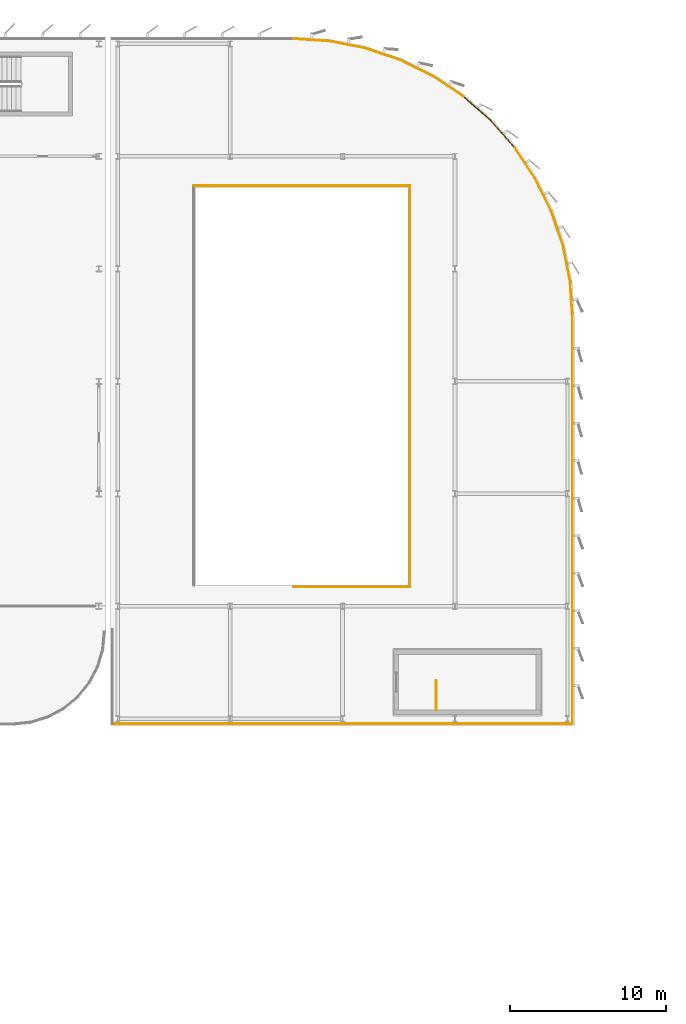
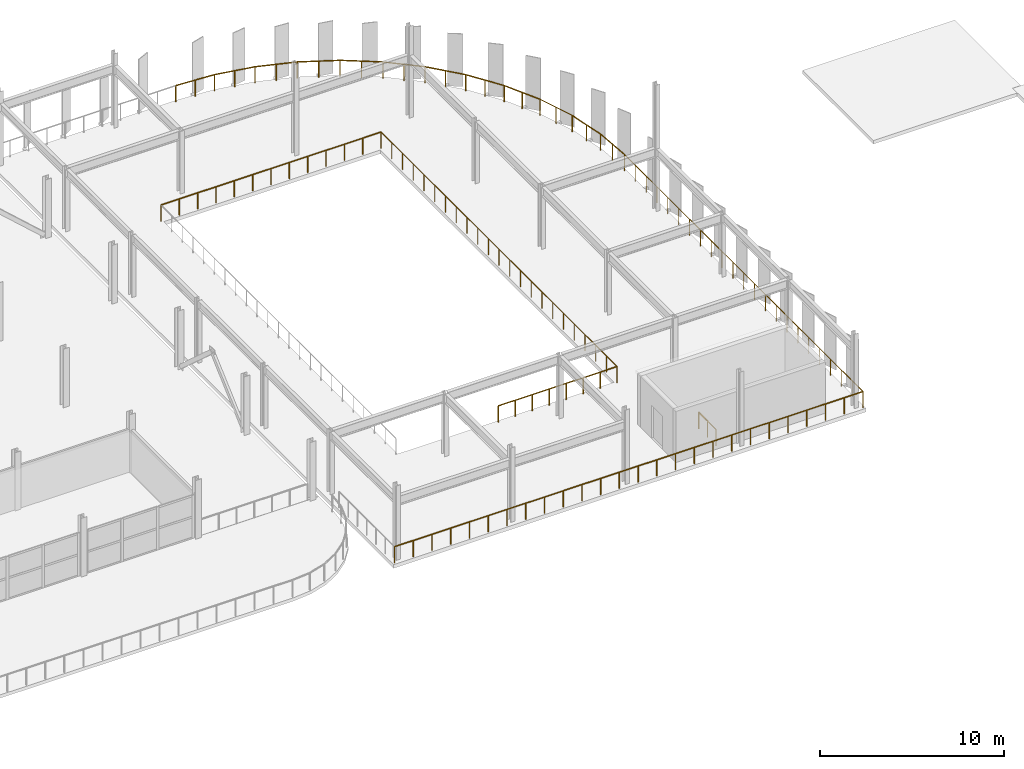
# One storey, part 40 of 40: 18 railings.
"""IFC4 building model written with IfcOpenShell, lengths in metres."""

from ifc_helpers import new_model, si_unit, direction, frame, origin, origin_2d, place, context, subcontext, project, spatial, circle, extrude, material, layer, layer_set, type_object, element, save


model = new_model("IFC4")

# Units and contexts
model_context = context("Model", 3, precision=1e-05, world=origin(), true_north=direction((0.0, 1.0)))
body_context = subcontext(model_context, "Body", "Model", "MODEL_VIEW")
ifc_project = project(units=[si_unit("LENGTHUNIT", "METRE"), si_unit("AREAUNIT", "SQUARE_METRE"), si_unit("VOLUMEUNIT", "CUBIC_METRE"), si_unit("PLANEANGLEUNIT", "RADIAN"), si_unit("MASSUNIT", "GRAM", prefix="KILO")], contexts=[model_context])

# Site, building, storey
site_placement = place(None, origin())
site = spatial("IfcSite", under=ifc_project, at=site_placement, CompositionType="ELEMENT")
building_placement = place(site_placement, origin())
building = spatial("IfcBuilding", under=site, at=building_placement, Name="Vaelcorin Mobility Hub", CompositionType="ELEMENT")
storey_placement = place(building_placement, frame((0.0, 0.0, 17.10009765625)))
storey = spatial("IfcBuildingStorey", under=building, at=storey_placement, Name="L04", CompositionType="ELEMENT", Elevation=17.10009765625)

# Railings
ifc_material_1 = material(Name="Galvanised structural steel ASTM A36", Category="steel")
ifc_layer_1 = layer(ifc_material_1, 0.070068359375)
ifc_layer_set_1 = layer_set([ifc_layer_1], Name="Galvanised structural steel ASTM A36")
railing_type_1 = type_object("IfcRailingType", Name="RL-GUARD-1100", PredefinedType="BALUSTRADE", material=ifc_layer_set_1)
railing_1_placement = place(storey_placement, frame((128.47998046875, 110.919921875, 0.0)))
element("IfcRailing", 1, at=railing_1_placement, inside=storey, type_object=railing_type_1, Name="L04 Perimeter Guard GR-V2E-L04-WELL-02", PredefinedType="BALUSTRADE", context=body_context, shape_type="SweptSolid", body=[
    extrude(circle(Radius=0.02392578125, at=origin_2d()), frame((0.0, 0.0, 1.076171875), z_axis=(1.0, 0.0, 0.0), x_axis=(0.0, 1.0, 0.0)), (0.0, 0.0, 1.0), 13.840087890625),
    extrude(circle(Radius=0.02099609375, at=origin_2d()), origin(), (0.0, 0.0, 1.0), 1.052001953125),
    extrude(circle(Radius=0.02099609375, at=origin_2d()), frame((1.1533203125, 0.0, 0.0)), (0.0, 0.0, 1.0), 1.052001953125),
    extrude(circle(Radius=0.02099609375, at=origin_2d()), frame((2.306640625, 0.0, 0.0)), (0.0, 0.0, 1.0), 1.052001953125),
    extrude(circle(Radius=0.02099609375, at=origin_2d()), frame((3.4599609375, 0.0, 0.0)), (0.0, 0.0, 1.0), 1.052001953125),
    extrude(circle(Radius=0.02099609375, at=origin_2d()), frame((4.61328125, 0.0, 0.0)), (0.0, 0.0, 1.0), 1.052001953125),
    extrude(circle(Radius=0.02099609375, at=origin_2d()), frame((5.7666015625, 0.0, 0.0)), (0.0, 0.0, 1.0), 1.052001953125),
    extrude(circle(Radius=0.02099609375, at=origin_2d()), frame((6.919921875, 0.0, 0.0)), (0.0, 0.0, 1.0), 1.052001953125),
    extrude(circle(Radius=0.02099609375, at=origin_2d()), frame((8.073486328125, 0.0, 0.0)), (0.0, 0.0, 1.0), 1.052001953125),
    extrude(circle(Radius=0.02099609375, at=origin_2d()), frame((9.226806640625, 0.0, 0.0)), (0.0, 0.0, 1.0), 1.052001953125),
    extrude(circle(Radius=0.02099609375, at=origin_2d()), frame((10.380126953125, 0.0, 0.0)), (0.0, 0.0, 1.0), 1.052001953125),
    extrude(circle(Radius=0.02099609375, at=origin_2d()), frame((11.533447265625, 0.0, 0.0)), (0.0, 0.0, 1.0), 1.052001953125),
    extrude(circle(Radius=0.02099609375, at=origin_2d()), frame((12.686767578125, 0.0, 0.0)), (0.0, 0.0, 1.0), 1.052001953125),
    extrude(circle(Radius=0.02099609375, at=origin_2d()), frame((13.840087890625, 0.0, 0.0)), (0.0, 0.0, 1.0), 1.052001953125),
])
railing_2_placement = place(storey_placement, frame((142.320068359375, 110.919921875, 0.0)))
element("IfcRailing", 2, at=railing_2_placement, inside=storey, type_object=railing_type_1, Name="L04 Perimeter Guard GR-V2E-L04-WELL-03", PredefinedType="BALUSTRADE", context=body_context, shape_type="SweptSolid", body=[
    extrude(circle(Radius=0.02392578125, at=origin_2d()), frame((0.0, 0.0, 1.076171875), z_axis=(0.0, -1.0, 0.0), x_axis=(1.0, 0.0, 0.0)), (0.0, 0.0, 1.0), 25.699951171875),
    extrude(circle(Radius=0.02099609375, at=origin_2d()), origin(), (0.0, 0.0, 1.0), 1.052001953125),
    extrude(circle(Radius=0.02099609375, at=origin_2d()), frame((0.0, -1.168212890625, 0.0)), (0.0, 0.0, 1.0), 1.052001953125),
    extrude(circle(Radius=0.02099609375, at=origin_2d()), frame((0.0, -2.33642578125, 0.0)), (0.0, 0.0, 1.0), 1.052001953125),
    extrude(circle(Radius=0.02099609375, at=origin_2d()), frame((0.0, -3.504638671875, 0.0)), (0.0, 0.0, 1.0), 1.052001953125),
    extrude(circle(Radius=0.02099609375, at=origin_2d()), frame((0.0, -4.672607421875, 0.0)), (0.0, 0.0, 1.0), 1.052001953125),
    extrude(circle(Radius=0.02099609375, at=origin_2d()), frame((0.0, -5.8408203125, 0.0)), (0.0, 0.0, 1.0), 1.052001953125),
    extrude(circle(Radius=0.02099609375, at=origin_2d()), frame((0.0, -7.009033203125, 0.0)), (0.0, 0.0, 1.0), 1.052001953125),
    extrude(circle(Radius=0.02099609375, at=origin_2d()), frame((0.0, -8.17724609375, 0.0)), (0.0, 0.0, 1.0), 1.052001953125),
    extrude(circle(Radius=0.02099609375, at=origin_2d()), frame((0.0, -9.345458984375, 0.0)), (0.0, 0.0, 1.0), 1.052001953125),
    extrude(circle(Radius=0.02099609375, at=origin_2d()), frame((0.0, -10.513671875, 0.0)), (0.0, 0.0, 1.0), 1.052001953125),
    extrude(circle(Radius=0.02099609375, at=origin_2d()), frame((0.0, -11.681884765625, 0.0)), (0.0, 0.0, 1.0), 1.052001953125),
    extrude(circle(Radius=0.02099609375, at=origin_2d()), frame((0.0, -12.85009765625, 0.0)), (0.0, 0.0, 1.0), 1.052001953125),
    extrude(circle(Radius=0.02099609375, at=origin_2d()), frame((0.0, -14.01806640625, 0.0)), (0.0, 0.0, 1.0), 1.052001953125),
    extrude(circle(Radius=0.02099609375, at=origin_2d()), frame((0.0, -15.186279296875, 0.0)), (0.0, 0.0, 1.0), 1.052001953125),
    extrude(circle(Radius=0.02099609375, at=origin_2d()), frame((0.0, -16.3544921875, 0.0)), (0.0, 0.0, 1.0), 1.052001953125),
    extrude(circle(Radius=0.02099609375, at=origin_2d()), frame((0.0, -17.522705078125, 0.0)), (0.0, 0.0, 1.0), 1.052001953125),
    extrude(circle(Radius=0.02099609375, at=origin_2d()), frame((0.0, -18.69091796875, 0.0)), (0.0, 0.0, 1.0), 1.052001953125),
    extrude(circle(Radius=0.02099609375, at=origin_2d()), frame((0.0, -19.859130859375, 0.0)), (0.0, 0.0, 1.0), 1.052001953125),
    extrude(circle(Radius=0.02099609375, at=origin_2d()), frame((0.0, -21.02734375, 0.0)), (0.0, 0.0, 1.0), 1.052001953125),
    extrude(circle(Radius=0.02099609375, at=origin_2d()), frame((0.0, -22.1953125, 0.0)), (0.0, 0.0, 1.0), 1.052001953125),
    extrude(circle(Radius=0.02099609375, at=origin_2d()), frame((0.0, -23.363525390625, 0.0)), (0.0, 0.0, 1.0), 1.052001953125),
    extrude(circle(Radius=0.02099609375, at=origin_2d()), frame((0.0, -24.53173828125, 0.0)), (0.0, 0.0, 1.0), 1.052001953125),
    extrude(circle(Radius=0.02099609375, at=origin_2d()), frame((0.0, -25.699951171875, 0.0)), (0.0, 0.0, 1.0), 1.052001953125),
])
railing_3_placement = place(storey_placement, frame((142.320068359375, 85.219970703125, 0.0)))
element("IfcRailing", 3, at=railing_3_placement, inside=storey, type_object=railing_type_1, Name="L04 Perimeter Guard GR-V2E-L04-WELL-04", PredefinedType="BALUSTRADE", context=body_context, shape_type="SweptSolid", body=[
    extrude(circle(Radius=0.02392578125, at=origin_2d()), frame((0.0, 0.0, 1.076171875), z_axis=(-1.0, 0.0, 0.0), x_axis=(0.0, -1.0, 0.0)), (0.0, 0.0, 1.0), 7.469970703125),
    extrude(circle(Radius=0.02099609375, at=origin_2d()), origin(), (0.0, 0.0, 1.0), 1.052001953125),
    extrude(circle(Radius=0.02099609375, at=origin_2d()), frame((-1.067138671875, 0.0, 0.0)), (0.0, 0.0, 1.0), 1.052001953125),
    extrude(circle(Radius=0.02099609375, at=origin_2d()), frame((-2.13427734375, 0.0, 0.0)), (0.0, 0.0, 1.0), 1.052001953125),
    extrude(circle(Radius=0.02099609375, at=origin_2d()), frame((-3.201416015625, 0.0, 0.0)), (0.0, 0.0, 1.0), 1.052001953125),
    extrude(circle(Radius=0.02099609375, at=origin_2d()), frame((-4.2685546875, 0.0, 0.0)), (0.0, 0.0, 1.0), 1.052001953125),
    extrude(circle(Radius=0.02099609375, at=origin_2d()), frame((-5.335693359375, 0.0, 0.0)), (0.0, 0.0, 1.0), 1.052001953125),
    extrude(circle(Radius=0.02099609375, at=origin_2d()), frame((-6.40283203125, 0.0, 0.0)), (0.0, 0.0, 1.0), 1.052001953125),
    extrude(circle(Radius=0.02099609375, at=origin_2d()), frame((-7.469970703125, 0.0, 0.0)), (0.0, 0.0, 1.0), 1.052001953125),
])
railing_4_placement = place(storey_placement, frame((134.85009765625, 120.330078125, 0.0)))
element("IfcRailing", 4, at=railing_4_placement, inside=storey, type_object=railing_type_1, Name="L04 Perimeter Guard GR-V2E-L04-02", PredefinedType="BALUSTRADE", context=body_context, shape_type="SweptSolid", body=[
    extrude(circle(Radius=0.02392578125, at=origin_2d()), frame((0.0, 0.0, 1.076171875), z_axis=(0.99785616691, -0.065445169106, 0.0), x_axis=(0.065445169106, 0.99785616691, 0.0)), (0.0, 0.0, 1.0), 2.339111328125),
    extrude(circle(Radius=0.02099609375, at=origin_2d()), origin(), (0.0, 0.0, 1.0), 1.052001953125),
    extrude(circle(Radius=0.02099609375, at=origin_2d()), frame((1.1669921875, -0.07666015625, 0.0)), (0.0, 0.0, 1.0), 1.052001953125),
    extrude(circle(Radius=0.02099609375, at=origin_2d()), frame((2.333984375, -0.153076171875, 0.0)), (0.0, 0.0, 1.0), 1.052001953125),
])
railing_5_placement = place(storey_placement, frame((137.18408203125, 120.177001953125, 0.0)))
element("IfcRailing", 5, at=railing_5_placement, inside=storey, type_object=railing_type_1, Name="L04 Perimeter Guard GR-V2E-L04-03", PredefinedType="BALUSTRADE", context=body_context, shape_type="SweptSolid", body=[
    extrude(circle(Radius=0.02392578125, at=origin_2d()), frame((0.0, 0.0, 1.076171875), z_axis=(0.980804861331, -0.194991856212, 0.0), x_axis=(0.194991856212, 0.980804861331, 0.0)), (0.0, 0.0, 1.0), 2.3388671875),
    extrude(circle(Radius=0.02099609375, at=origin_2d()), origin(), (0.0, 0.0, 1.0), 1.052001953125),
    extrude(circle(Radius=0.02099609375, at=origin_2d()), frame((1.14697265625, -0.22802734375, 0.0)), (0.0, 0.0, 1.0), 1.052001953125),
    extrude(circle(Radius=0.02099609375, at=origin_2d()), frame((2.2939453125, -0.4560546875, 0.0)), (0.0, 0.0, 1.0), 1.052001953125),
])
railing_6_placement = place(storey_placement, frame((139.47802734375, 119.720947265625, 0.0)))
element("IfcRailing", 6, at=railing_6_placement, inside=storey, type_object=railing_type_1, Name="L04 Perimeter Guard GR-V2E-L04-04", PredefinedType="BALUSTRADE", context=body_context, shape_type="SweptSolid", body=[
    extrude(circle(Radius=0.02392578125, at=origin_2d()), frame((0.0, 0.0, 1.076171875), z_axis=(0.946871989611, -0.321610689017, 0.0), x_axis=(0.321610689017, 0.946871989611, 0.0)), (0.0, 0.0, 1.0), 2.338134765625),
    extrude(circle(Radius=0.02099609375, at=origin_2d()), origin(), (0.0, 0.0, 1.0), 1.052001953125),
    extrude(circle(Radius=0.02099609375, at=origin_2d()), frame((1.10693359375, -0.3759765625, 0.0)), (0.0, 0.0, 1.0), 1.052001953125),
    extrude(circle(Radius=0.02099609375, at=origin_2d()), frame((2.2138671875, -0.751953125, 0.0)), (0.0, 0.0, 1.0), 1.052001953125),
])
railing_7_placement = place(storey_placement, frame((141.69189453125, 118.968994140625, 0.0)))
element("IfcRailing", 7, at=railing_7_placement, inside=storey, type_object=railing_type_1, Name="L04 Perimeter Guard GR-V2E-L04-05", PredefinedType="BALUSTRADE", context=body_context, shape_type="SweptSolid", body=[
    extrude(circle(Radius=0.02392578125, at=origin_2d()), frame((0.0, 0.0, 1.076171875), z_axis=(0.897000714078, -0.44202909287, 0.0), x_axis=(0.44202909287, 0.897000714078, 0.0)), (0.0, 0.0, 1.0), 2.339111328125),
    extrude(circle(Radius=0.02099609375, at=origin_2d()), origin(), (0.0, 0.0, 1.0), 1.052001953125),
    extrude(circle(Radius=0.02099609375, at=origin_2d()), frame((1.049072265625, -0.51708984375, 0.0)), (0.0, 0.0, 1.0), 1.052001953125),
    extrude(circle(Radius=0.02099609375, at=origin_2d()), frame((2.09814453125, -1.033935546875, 0.0)), (0.0, 0.0, 1.0), 1.052001953125),
])
railing_8_placement = place(storey_placement, frame((143.7900390625, 117.93505859375, 0.0)))
element("IfcRailing", 8, at=railing_8_placement, inside=storey, type_object=railing_type_1, Name="L04 Perimeter Guard GR-V2E-L04-06", PredefinedType="BALUSTRADE", context=body_context, shape_type="SweptSolid", body=[
    extrude(circle(Radius=0.02392578125, at=origin_2d()), frame((0.0, 0.0, 1.076171875), z_axis=(0.831391473095, -0.555687158809, 0.0), x_axis=(0.555687158809, 0.831391473095, 0.0)), (0.0, 0.0, 1.0), 2.339599609375),
    extrude(circle(Radius=0.02099609375, at=origin_2d()), origin(), (0.0, 0.0, 1.0), 1.052001953125),
    extrude(circle(Radius=0.02099609375, at=origin_2d()), frame((0.97265625, -0.64990234375, 0.0)), (0.0, 0.0, 1.0), 1.052001953125),
    extrude(circle(Radius=0.02099609375, at=origin_2d()), frame((1.945068359375, -1.300048828125, 0.0)), (0.0, 0.0, 1.0), 1.052001953125),
])
railing_9_placement = place(storey_placement, frame((145.735107421875, 116.635009765625, 0.0)))
element("IfcRailing", 9, at=railing_9_placement, inside=storey, type_object=railing_type_1, Name="L04 Perimeter Guard GR-V2E-L04-07", PredefinedType="BALUSTRADE", context=body_context, shape_type="SweptSolid", body=[
    extrude(circle(Radius=0.02392578125, at=origin_2d()), frame((0.0, 0.0, 1.076171875), z_axis=(0.751748215972, -0.659450240566, 0.0), x_axis=(0.659450240566, 0.751748215972, 0.0)), (0.0, 0.0, 1.0), 2.33837890625),
    extrude(circle(Radius=0.02099609375, at=origin_2d()), origin(), (0.0, 0.0, 1.0), 1.052001953125),
    extrude(circle(Radius=0.02099609375, at=origin_2d()), frame((0.87890625, -0.77099609375, 0.0)), (0.0, 0.0, 1.0), 1.052001953125),
    extrude(circle(Radius=0.02099609375, at=origin_2d()), frame((1.7578125, -1.5419921875, 0.0)), (0.0, 0.0, 1.0), 1.052001953125),
])
railing_10_placement = place(storey_placement, frame((147.492919921875, 115.093017578125, 0.0)))
element("IfcRailing", 10, at=railing_10_placement, inside=storey, type_object=railing_type_1, Name="L04 Perimeter Guard GR-V2E-L04-08", PredefinedType="BALUSTRADE", context=body_context, shape_type="SweptSolid", body=[
    extrude(circle(Radius=0.02392578125, at=origin_2d()), frame((0.0, 0.0, 1.076171875), z_axis=(0.659398483057, -0.751793615657, 0.0), x_axis=(0.751793615657, 0.659398483057, 0.0)), (0.0, 0.0, 1.0), 2.33837890625),
    extrude(circle(Radius=0.02099609375, at=origin_2d()), origin(), (0.0, 0.0, 1.0), 1.052001953125),
    extrude(circle(Radius=0.02099609375, at=origin_2d()), frame((0.77099609375, -0.87890625, 0.0)), (0.0, 0.0, 1.0), 1.052001953125),
    extrude(circle(Radius=0.02099609375, at=origin_2d()), frame((1.5419921875, -1.758056640625, 0.0)), (0.0, 0.0, 1.0), 1.052001953125),
])
railing_11_placement = place(storey_placement, frame((149.034912109375, 113.3349609375, 0.0)))
element("IfcRailing", 11, at=railing_11_placement, inside=storey, type_object=railing_type_1, Name="L04 Perimeter Guard GR-V2E-L04-09", PredefinedType="BALUSTRADE", context=body_context, shape_type="SweptSolid", body=[
    extrude(circle(Radius=0.02392578125, at=origin_2d()), frame((0.0, 0.0, 1.076171875), z_axis=(0.555687158809, -0.831391473095, 0.0), x_axis=(0.831391473095, 0.555687158809, 0.0)), (0.0, 0.0, 1.0), 2.339599609375),
    extrude(circle(Radius=0.02099609375, at=origin_2d()), origin(), (0.0, 0.0, 1.0), 1.052001953125),
    extrude(circle(Radius=0.02099609375, at=origin_2d()), frame((0.64990234375, -0.97265625, 0.0)), (0.0, 0.0, 1.0), 1.052001953125),
    extrude(circle(Radius=0.02099609375, at=origin_2d()), frame((1.300048828125, -1.945068359375, 0.0)), (0.0, 0.0, 1.0), 1.052001953125),
])
railing_12_placement = place(storey_placement, frame((150.3349609375, 111.389892578125, 0.0)))
element("IfcRailing", 12, at=railing_12_placement, inside=storey, type_object=railing_type_1, Name="L04 Perimeter Guard GR-V2E-L04-10", PredefinedType="BALUSTRADE", context=body_context, shape_type="SweptSolid", body=[
    extrude(circle(Radius=0.02392578125, at=origin_2d()), frame((0.0, 0.0, 1.076171875), z_axis=(0.442070481095, -0.896980317367, 0.0), x_axis=(0.896980317367, 0.442070481095, 0.0)), (0.0, 0.0, 1.0), 2.3388671875),
    extrude(circle(Radius=0.02099609375, at=origin_2d()), origin(), (0.0, 0.0, 1.0), 1.052001953125),
    extrude(circle(Radius=0.02099609375, at=origin_2d()), frame((0.51708984375, -1.048828125, 0.0)), (0.0, 0.0, 1.0), 1.052001953125),
    extrude(circle(Radius=0.02099609375, at=origin_2d()), frame((1.033935546875, -2.097900390625, 0.0)), (0.0, 0.0, 1.0), 1.052001953125),
])
railing_13_placement = place(storey_placement, frame((151.368896484375, 109.2919921875, 0.0)))
element("IfcRailing", 13, at=railing_13_placement, inside=storey, type_object=railing_type_1, Name="L04 Perimeter Guard GR-V2E-L04-11", PredefinedType="BALUSTRADE", context=body_context, shape_type="SweptSolid", body=[
    extrude(circle(Radius=0.02392578125, at=origin_2d()), frame((0.0, 0.0, 1.076171875), z_axis=(0.321672500653, -0.946850992672, 0.0), x_axis=(0.946850992672, 0.321672500653, 0.0)), (0.0, 0.0, 1.0), 2.33837890625),
    extrude(circle(Radius=0.02099609375, at=origin_2d()), origin(), (0.0, 0.0, 1.0), 1.052001953125),
    extrude(circle(Radius=0.02099609375, at=origin_2d()), frame((0.3759765625, -1.10693359375, 0.0)), (0.0, 0.0, 1.0), 1.052001953125),
    extrude(circle(Radius=0.02099609375, at=origin_2d()), frame((0.752197265625, -2.214111328125, 0.0)), (0.0, 0.0, 1.0), 1.052001953125),
])
railing_14_placement = place(storey_placement, frame((152.12109375, 107.077880859375, 0.0)))
element("IfcRailing", 14, at=railing_14_placement, inside=storey, type_object=railing_type_1, Name="L04 Perimeter Guard GR-V2E-L04-12", PredefinedType="BALUSTRADE", context=body_context, shape_type="SweptSolid", body=[
    extrude(circle(Radius=0.02392578125, at=origin_2d()), frame((0.0, 0.0, 1.076171875), z_axis=(0.194891436706, -0.980824820189, 0.0), x_axis=(0.980824820189, 0.194891436706, 0.0)), (0.0, 0.0, 1.0), 2.3388671875),
    extrude(circle(Radius=0.02099609375, at=origin_2d()), origin(), (0.0, 0.0, 1.0), 1.052001953125),
    extrude(circle(Radius=0.02099609375, at=origin_2d()), frame((0.22802734375, -1.14697265625, 0.0)), (0.0, 0.0, 1.0), 1.052001953125),
    extrude(circle(Radius=0.02099609375, at=origin_2d()), frame((0.455810546875, -2.2939453125, 0.0)), (0.0, 0.0, 1.0), 1.052001953125),
])
railing_15_placement = place(storey_placement, frame((152.576904296875, 104.783935546875, 0.0)))
element("IfcRailing", 15, at=railing_15_placement, inside=storey, type_object=railing_type_1, Name="L04 Perimeter Guard GR-V2E-L04-13", PredefinedType="BALUSTRADE", context=body_context, shape_type="SweptSolid", body=[
    extrude(circle(Radius=0.02392578125, at=origin_2d()), frame((0.0, 0.0, 1.076171875), z_axis=(0.065445169106, -0.99785616691, 0.0), x_axis=(0.99785616691, 0.065445169106, 0.0)), (0.0, 0.0, 1.0), 2.339111328125),
    extrude(circle(Radius=0.02099609375, at=origin_2d()), origin(), (0.0, 0.0, 1.0), 1.052001953125),
    extrude(circle(Radius=0.02099609375, at=origin_2d()), frame((0.07666015625, -1.1669921875, 0.0)), (0.0, 0.0, 1.0), 1.052001953125),
    extrude(circle(Radius=0.02099609375, at=origin_2d()), frame((0.153076171875, -2.333984375, 0.0)), (0.0, 0.0, 1.0), 1.052001953125),
])
railing_16_placement = place(storey_placement, frame((152.72998046875, 102.449951171875, 0.0)))
element("IfcRailing", 16, at=railing_16_placement, inside=storey, type_object=railing_type_1, Name="L04 Perimeter Guard GR-V2E-L04-14", PredefinedType="BALUSTRADE", context=body_context, shape_type="SweptSolid", body=[
    extrude(circle(Radius=0.02392578125, at=origin_2d()), frame((0.0, 0.0, 1.076171875), z_axis=(0.0, -1.0, 0.0), x_axis=(1.0, 0.0, 0.0)), (0.0, 0.0, 1.0), 25.97998046875),
    extrude(circle(Radius=0.02099609375, at=origin_2d()), origin(), (0.0, 0.0, 1.0), 1.052001953125),
    extrude(circle(Radius=0.02099609375, at=origin_2d()), frame((0.0, -1.180908203125, 0.0)), (0.0, 0.0, 1.0), 1.052001953125),
    extrude(circle(Radius=0.02099609375, at=origin_2d()), frame((0.0, -2.36181640625, 0.0)), (0.0, 0.0, 1.0), 1.052001953125),
    extrude(circle(Radius=0.02099609375, at=origin_2d()), frame((0.0, -3.542724609375, 0.0)), (0.0, 0.0, 1.0), 1.052001953125),
    extrude(circle(Radius=0.02099609375, at=origin_2d()), frame((0.0, -4.7236328125, 0.0)), (0.0, 0.0, 1.0), 1.052001953125),
    extrude(circle(Radius=0.02099609375, at=origin_2d()), frame((0.0, -5.904541015625, 0.0)), (0.0, 0.0, 1.0), 1.052001953125),
    extrude(circle(Radius=0.02099609375, at=origin_2d()), frame((0.0, -7.08544921875, 0.0)), (0.0, 0.0, 1.0), 1.052001953125),
    extrude(circle(Radius=0.02099609375, at=origin_2d()), frame((0.0, -8.266357421875, 0.0)), (0.0, 0.0, 1.0), 1.052001953125),
    extrude(circle(Radius=0.02099609375, at=origin_2d()), frame((0.0, -9.447265625, 0.0)), (0.0, 0.0, 1.0), 1.052001953125),
    extrude(circle(Radius=0.02099609375, at=origin_2d()), frame((0.0, -10.628173828125, 0.0)), (0.0, 0.0, 1.0), 1.052001953125),
    extrude(circle(Radius=0.02099609375, at=origin_2d()), frame((0.0, -11.80908203125, 0.0)), (0.0, 0.0, 1.0), 1.052001953125),
    extrude(circle(Radius=0.02099609375, at=origin_2d()), frame((0.0, -12.989990234375, 0.0)), (0.0, 0.0, 1.0), 1.052001953125),
    extrude(circle(Radius=0.02099609375, at=origin_2d()), frame((0.0, -14.1708984375, 0.0)), (0.0, 0.0, 1.0), 1.052001953125),
    extrude(circle(Radius=0.02099609375, at=origin_2d()), frame((0.0, -15.351806640625, 0.0)), (0.0, 0.0, 1.0), 1.052001953125),
    extrude(circle(Radius=0.02099609375, at=origin_2d()), frame((0.0, -16.53271484375, 0.0)), (0.0, 0.0, 1.0), 1.052001953125),
    extrude(circle(Radius=0.02099609375, at=origin_2d()), frame((0.0, -17.713623046875, 0.0)), (0.0, 0.0, 1.0), 1.052001953125),
    extrude(circle(Radius=0.02099609375, at=origin_2d()), frame((0.0, -18.89453125, 0.0)), (0.0, 0.0, 1.0), 1.052001953125),
    extrude(circle(Radius=0.02099609375, at=origin_2d()), frame((0.0, -20.075439453125, 0.0)), (0.0, 0.0, 1.0), 1.052001953125),
    extrude(circle(Radius=0.02099609375, at=origin_2d()), frame((0.0, -21.25634765625, 0.0)), (0.0, 0.0, 1.0), 1.052001953125),
    extrude(circle(Radius=0.02099609375, at=origin_2d()), frame((0.0, -22.437255859375, 0.0)), (0.0, 0.0, 1.0), 1.052001953125),
    extrude(circle(Radius=0.02099609375, at=origin_2d()), frame((0.0, -23.6181640625, 0.0)), (0.0, 0.0, 1.0), 1.052001953125),
    extrude(circle(Radius=0.02099609375, at=origin_2d()), frame((0.0, -24.799072265625, 0.0)), (0.0, 0.0, 1.0), 1.052001953125),
    extrude(circle(Radius=0.02099609375, at=origin_2d()), frame((0.0, -25.97998046875, 0.0)), (0.0, 0.0, 1.0), 1.052001953125),
])
railing_17_placement = place(storey_placement, frame((152.72998046875, 76.469970703125, 0.0)))
element("IfcRailing", 17, at=railing_17_placement, inside=storey, type_object=railing_type_1, Name="L04 Perimeter Guard GR-V2E-L04-15", PredefinedType="BALUSTRADE", context=body_context, shape_type="SweptSolid", body=[
    extrude(circle(Radius=0.02392578125, at=origin_2d()), frame((0.0, 0.0, 1.076171875), z_axis=(-1.0, 0.0, 0.0), x_axis=(0.0, -1.0, 0.0)), (0.0, 0.0, 1.0), 29.4599609375),
    extrude(circle(Radius=0.02099609375, at=origin_2d()), origin(), (0.0, 0.0, 1.0), 1.052001953125),
    extrude(circle(Radius=0.02099609375, at=origin_2d()), frame((-1.178466796875, 0.0, 0.0)), (0.0, 0.0, 1.0), 1.052001953125),
    extrude(circle(Radius=0.02099609375, at=origin_2d()), frame((-2.356689453125, 0.0, 0.0)), (0.0, 0.0, 1.0), 1.052001953125),
    extrude(circle(Radius=0.02099609375, at=origin_2d()), frame((-3.53515625, 0.0, 0.0)), (0.0, 0.0, 1.0), 1.052001953125),
    extrude(circle(Radius=0.02099609375, at=origin_2d()), frame((-4.713623046875, 0.0, 0.0)), (0.0, 0.0, 1.0), 1.052001953125),
    extrude(circle(Radius=0.02099609375, at=origin_2d()), frame((-5.89208984375, 0.0, 0.0)), (0.0, 0.0, 1.0), 1.052001953125),
    extrude(circle(Radius=0.02099609375, at=origin_2d()), frame((-7.0703125, 0.0, 0.0)), (0.0, 0.0, 1.0), 1.052001953125),
    extrude(circle(Radius=0.02099609375, at=origin_2d()), frame((-8.248779296875, 0.0, 0.0)), (0.0, 0.0, 1.0), 1.052001953125),
    extrude(circle(Radius=0.02099609375, at=origin_2d()), frame((-9.42724609375, 0.0, 0.0)), (0.0, 0.0, 1.0), 1.052001953125),
    extrude(circle(Radius=0.02099609375, at=origin_2d()), frame((-10.60546875, 0.0, 0.0)), (0.0, 0.0, 1.0), 1.052001953125),
    extrude(circle(Radius=0.02099609375, at=origin_2d()), frame((-11.783935546875, 0.0, 0.0)), (0.0, 0.0, 1.0), 1.052001953125),
    extrude(circle(Radius=0.02099609375, at=origin_2d()), frame((-12.96240234375, 0.0, 0.0)), (0.0, 0.0, 1.0), 1.052001953125),
    extrude(circle(Radius=0.02099609375, at=origin_2d()), frame((-14.140869140625, 0.0, 0.0)), (0.0, 0.0, 1.0), 1.052001953125),
    extrude(circle(Radius=0.02099609375, at=origin_2d()), frame((-15.319091796875, 0.0, 0.0)), (0.0, 0.0, 1.0), 1.052001953125),
    extrude(circle(Radius=0.02099609375, at=origin_2d()), frame((-16.49755859375, 0.0, 0.0)), (0.0, 0.0, 1.0), 1.052001953125),
    extrude(circle(Radius=0.02099609375, at=origin_2d()), frame((-17.676025390625, 0.0, 0.0)), (0.0, 0.0, 1.0), 1.052001953125),
    extrude(circle(Radius=0.02099609375, at=origin_2d()), frame((-18.8544921875, 0.0, 0.0)), (0.0, 0.0, 1.0), 1.052001953125),
    extrude(circle(Radius=0.02099609375, at=origin_2d()), frame((-20.03271484375, 0.0, 0.0)), (0.0, 0.0, 1.0), 1.052001953125),
    extrude(circle(Radius=0.02099609375, at=origin_2d()), frame((-21.211181640625, 0.0, 0.0)), (0.0, 0.0, 1.0), 1.052001953125),
    extrude(circle(Radius=0.02099609375, at=origin_2d()), frame((-22.3896484375, 0.0, 0.0)), (0.0, 0.0, 1.0), 1.052001953125),
    extrude(circle(Radius=0.02099609375, at=origin_2d()), frame((-23.56787109375, 0.0, 0.0)), (0.0, 0.0, 1.0), 1.052001953125),
    extrude(circle(Radius=0.02099609375, at=origin_2d()), frame((-24.746337890625, 0.0, 0.0)), (0.0, 0.0, 1.0), 1.052001953125),
    extrude(circle(Radius=0.02099609375, at=origin_2d()), frame((-25.9248046875, 0.0, 0.0)), (0.0, 0.0, 1.0), 1.052001953125),
    extrude(circle(Radius=0.02099609375, at=origin_2d()), frame((-27.103271484375, 0.0, 0.0)), (0.0, 0.0, 1.0), 1.052001953125),
    extrude(circle(Radius=0.02099609375, at=origin_2d()), frame((-28.281494140625, 0.0, 0.0)), (0.0, 0.0, 1.0), 1.052001953125),
    extrude(circle(Radius=0.02099609375, at=origin_2d()), frame((-29.4599609375, 0.0, 0.0)), (0.0, 0.0, 1.0), 1.052001953125),
])
ifc_material_2 = material(Name="Brushed stainless steel 316L", Category="steel")
ifc_layer_2 = layer(ifc_material_2, 0.048095703125)
ifc_layer_set_2 = layer_set([ifc_layer_2], Name="Brushed stainless steel 316L")
railing_type_2 = type_object("IfcRailingType", Name="RL-STAIR-GRD", PredefinedType="GUARDRAIL", material=ifc_layer_set_2)
railing_18_placement = place(storey_placement, frame((144.0, 77.35009765625, 0.0)))
element("IfcRailing", 18, at=railing_18_placement, inside=storey, type_object=railing_type_2, Name="L04 ST2 top well guard 1", PredefinedType="GUARDRAIL", context=body_context, shape_type="SweptSolid", body=[
    extrude(circle(Radius=0.02392578125, at=origin_2d()), frame((0.0, 0.0, 1.076171875), z_axis=(0.0, 1.0, 0.0), x_axis=(-1.0, 0.0, 0.0)), (0.0, 0.0, 1.0), 1.8798828125),
    extrude(circle(Radius=0.02099609375, at=origin_2d()), origin(), (0.0, 0.0, 1.0), 1.052001953125),
    extrude(circle(Radius=0.02099609375, at=origin_2d()), frame((0.0, 0.93994140625, 0.0)), (0.0, 0.0, 1.0), 1.052001953125),
    extrude(circle(Radius=0.02099609375, at=origin_2d()), frame((0.0, 1.8798828125, 0.0)), (0.0, 0.0, 1.0), 1.052001953125),
])

save(model, "model.ifc")
